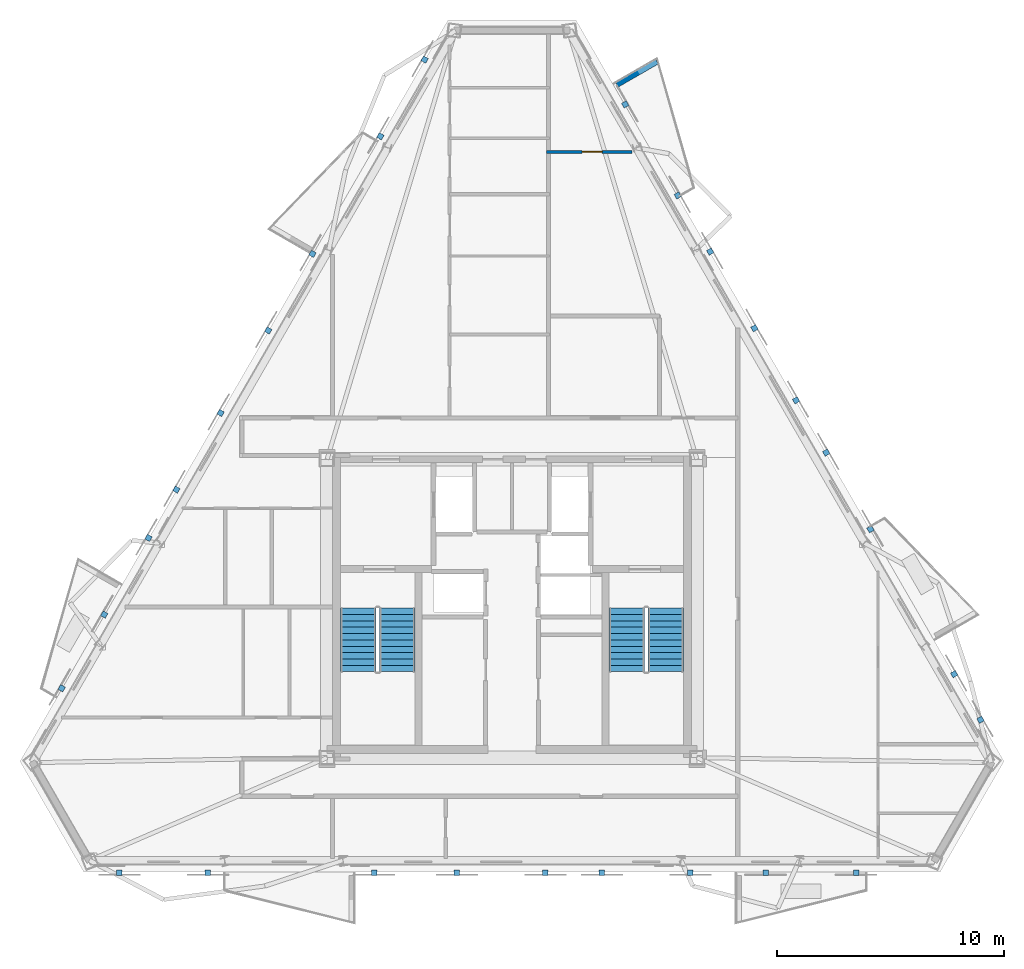
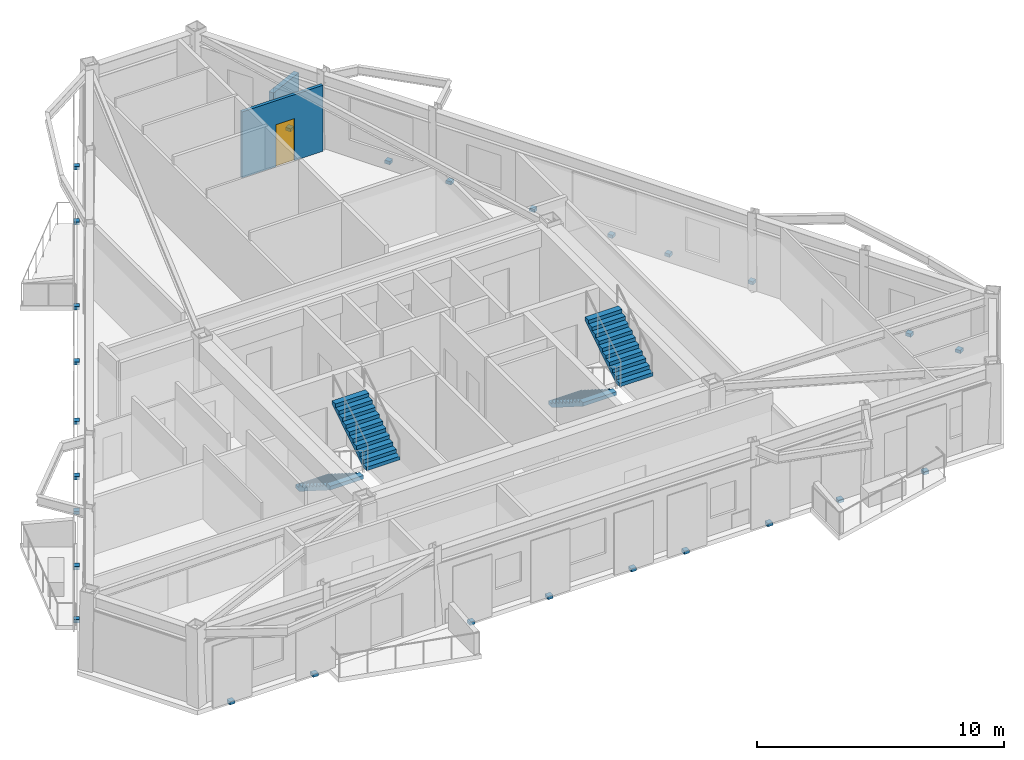
# One storey, part 6 of 9: 27 discrete accessories, 4 stair flights, 2 walls, 1 door, 1 opening, 2 elements without a shape of their own.
"""IFC4 building model written with IfcOpenShell, lengths in metres."""

from ifc_helpers import new_model, si_unit, direction, frame, frame_2d, origin, origin_2d, place, context, subcontext, project, spatial, polyline, rectangle, outline, extrude, material, layer, layer_set, type_object, element, fill, aggregate, save


model = new_model("IFC4")

# Units and contexts
model_context = context("Model", 3, precision=1e-05, world=origin(), true_north=direction((0.0, 1.0)))
body_context = subcontext(model_context, "Body", "Model", "MODEL_VIEW")
ifc_project = project(units=[si_unit("LENGTHUNIT", "METRE"), si_unit("AREAUNIT", "SQUARE_METRE"), si_unit("VOLUMEUNIT", "CUBIC_METRE"), si_unit("PLANEANGLEUNIT", "RADIAN"), si_unit("MASSUNIT", "GRAM", prefix="KILO")], contexts=[model_context])

# Site, building, storey
site_placement = place(None, origin())
site = spatial("IfcSite", under=ifc_project, at=site_placement, CompositionType="ELEMENT")
building_placement = place(site_placement, origin())
building = spatial("IfcBuilding", under=site, at=building_placement, Name="Oramaril Tower", CompositionType="ELEMENT")
storey_placement = place(building_placement, frame((0.0, 0.0, 261.60009765625)))
storey = spatial("IfcBuildingStorey", under=building, at=storey_placement, Name="L69", CompositionType="ELEMENT", Elevation=261.60009765625)

# Wall
ifc_material_1 = material(Name="Concrete C40/50", Category="concrete")
ifc_layer_1 = layer(ifc_material_1, 0.22998046875)
ifc_layer_set_1 = layer_set([ifc_layer_1], Name="WT-PRP23")
wall_type_1 = type_object("IfcWallType", Name="WT-PRP23", PredefinedType="PARAPET", material=ifc_layer_set_1)
wall_1_placement = place(storey_placement, frame((42.127197265625, 40.652587890625, 0.0), z_axis=(0.0, 0.0, 1.0), x_axis=(0.866012356593, 0.500022597718, 0.0)))
element("IfcWall", 1, at=wall_1_placement, inside=storey, type_object=wall_type_1, Name="L69 Trapezoidal Balcony Frame Cheek L69-BAL-NE2-R", PredefinedType="PARAPET", context=body_context, shape_type="SweptSolid", body=[
    extrude(outline(polyline([(0.0, 0.0), (2.0419921875, 0.0), (2.0419921875, 1.099853515625), (0.0, 1.31982421875), (0.0, 0.0)])), frame((0.0, 0.114990234375, 0.0), z_axis=(0.0, -1.0, 0.0), x_axis=(1.0, 0.0, 0.0)), (0.0, 0.0, 1.0), 0.22998046875),
])

# Wall, opening, door
ifc_material_2 = material(Name="Acoustic Gypsum Board Partition")
ifc_layer_2 = layer(ifc_material_2, 0.139892578125)
ifc_layer_set_2 = layer_set([ifc_layer_2], Name="WT-PT14")
wall_type_2 = type_object("IfcWallType", Name="WT-PT14", PredefinedType="PARTITIONING", material=ifc_layer_set_2)
wall_2_placement = place(storey_placement, frame((39.01806640625, 37.699951171875, 0.0), z_axis=(0.0, 0.0, 1.0), x_axis=(1.0, 0.0, 0.0)))
wall_2 = element("IfcWall", 2, at=wall_2_placement, inside=storey, type_object=wall_type_2, Name="L69 Interior Partition PT-14", PredefinedType="PARTITIONING", context=body_context, shape_type="SweptSolid", body=[
    extrude(rectangle(XDim=3.7783203125, YDim=0.139892578125, at=frame_2d((1.88916015625, 0.0))), origin(), (0.0, 0.0, 1.0), 3.265869140625),
])
opening_placement = place(wall_2_placement, frame((1.577392578125, 0.0, 0.0)))
opening = element("IfcOpeningElement", 3, at=opening_placement, cuts=wall_2, Name="Opening D-L69-13", PredefinedType="OPENING", context=body_context, shape_type="SweptSolid", body=[
    extrude(rectangle(XDim=0.8798828125, YDim=2.080078125, at=frame_2d((0.43994140625, 1.0400390625))), frame((0.0, 0.06982421875, 0.0), z_axis=(0.0, -1.0, 0.0), x_axis=(1.0, 0.0, 0.0)), (0.0, 0.0, 1.0), 0.139892578125),
])
ifc_material_3 = material(Name="FSC Brazilian Freijo Hardwood", Category="wood")
door_type = type_object("IfcDoorType", Name="DT-BATH", OperationType="NOTDEFINED", PredefinedType="DOOR", material=ifc_material_3)
door_placement = place(opening_placement, origin())
door = element("IfcDoor", 4, at=door_placement, inside=storey, type_object=door_type, Name="L69 Flat L69-U6 Bathroom Door D-L69-13", OperationType="SINGLE_SWING_RIGHT", OverallHeight=2.080078125, OverallWidth=0.8798828125, PredefinedType="DOOR", context=body_context, shape_type="SweptSolid", body=[
    extrude(rectangle(XDim=0.8798828125, YDim=2.080078125, at=frame_2d((0.43994140625, 1.0400390625))), frame((0.0, 0.02490234375, 0.0), z_axis=(0.0, -1.0, 0.0), x_axis=(1.0, 0.0, 0.0)), (0.0, 0.0, 1.0), 0.050048828125),
])
fill(opening, door)

# Stair, stair flights
ifc_material_4 = material(Name="Concrete C50/60", Category="concrete")
stair_type = type_object("IfcStairType", Name="STT-DG-3900", PredefinedType="HALF_TURN_STAIR", material=ifc_material_4)
stair_1_placement = place(storey_placement, origin())
stair_1 = element("IfcStair", 5, at=stair_1_placement, inside=storey, type_object=stair_type, Name="L69 Protected PFP Exit Stair ST-1", PredefinedType="HALF_TURN_STAIR")
ifc_material_5 = material(Name="Concrete C50/60", Category="concrete")
stair_flight_type = type_object("IfcStairFlightType", Name="SFT-DG-3900", PredefinedType="STRAIGHT", material=ifc_material_5)
stair_flight_1_placement = place(storey_placement, frame((30.72998046875, 17.590087890625, 0.0), z_axis=(0.0, 0.0, 1.0), x_axis=(0.0, -1.0, 0.0)))
stair_flight_1 = element("IfcStairFlight", 6, at=stair_flight_1_placement, type_object=stair_flight_type, Name="ST-1 flight 1", NumberOfRisers=11, NumberOfTreads=10, PredefinedType="STRAIGHT", RiserHeight=0.177272727, TreadLength=0.28, context=body_context, shape_type="SweptSolid", body=[
    extrude(outline(polyline([(0.0, 0.0), (0.0, 0.17724609375), (0.280029296875, 0.17724609375), (0.280029296875, 0.3544921875), (0.56005859375, 0.3544921875), (0.56005859375, 0.53173828125), (0.840087890625, 0.53173828125), (0.840087890625, 0.708984375), (1.1201171875, 0.708984375), (1.1201171875, 0.886474609375), (1.39990234375, 0.886474609375), (1.39990234375, 1.063720703125), (1.679931640625, 1.063720703125), (1.679931640625, 1.240966796875), (1.9599609375, 1.240966796875), (1.9599609375, 1.418212890625), (2.239990234375, 1.418212890625), (2.239990234375, 1.595458984375), (2.52001953125, 1.595458984375), (2.52001953125, 1.772705078125), (2.800048828125, 1.772705078125), (2.800048828125, 1.949951171875), (2.800048828125, 1.59521484375), (0.2802734375, 0.0), (0.0, 0.0)])), frame((0.0, 0.780029296875, 0.0), z_axis=(0.0, -1.0, 0.0), x_axis=(1.0, 0.0, 0.0)), (0.0, 0.0, 1.0), 1.56005859375),
])
stair_flight_2_placement = place(storey_placement, frame((32.43994140625, 14.7900390625, 1.949951171875), z_axis=(0.0, 0.0, 1.0), x_axis=(0.0, 1.0, 0.0)))
stair_flight_2 = element("IfcStairFlight", 7, at=stair_flight_2_placement, type_object=stair_flight_type, Name="ST-1 flight 2", NumberOfRisers=11, NumberOfTreads=10, PredefinedType="STRAIGHT", RiserHeight=0.177272727, TreadLength=0.28, context=body_context, shape_type="SweptSolid", body=[
    extrude(outline(polyline([(0.0, 0.0), (0.0, 0.17724609375), (0.280029296875, 0.17724609375), (0.280029296875, 0.3544921875), (0.56005859375, 0.3544921875), (0.56005859375, 0.53173828125), (0.840087890625, 0.53173828125), (0.840087890625, 0.708984375), (1.1201171875, 0.708984375), (1.1201171875, 0.886474609375), (1.39990234375, 0.886474609375), (1.39990234375, 1.063720703125), (1.679931640625, 1.063720703125), (1.679931640625, 1.240966796875), (1.9599609375, 1.240966796875), (1.9599609375, 1.418212890625), (2.239990234375, 1.418212890625), (2.239990234375, 1.595458984375), (2.52001953125, 1.595458984375), (2.52001953125, 1.772705078125), (2.800048828125, 1.772705078125), (2.800048828125, 1.949951171875), (2.800048828125, 1.59521484375), (0.2802734375, 0.0), (0.0, 0.0)])), frame((0.0, 0.780029296875, 0.0), z_axis=(0.0, -1.0, 0.0), x_axis=(1.0, 0.0, 0.0)), (0.0, 0.0, 1.0), 1.56005859375),
])
aggregate(stair_1, [stair_flight_1, stair_flight_2])

stair_2_placement = place(storey_placement, origin())
stair_2 = element("IfcStair", 8, at=stair_2_placement, inside=storey, type_object=stair_type, Name="L69 Protected PFP Exit Stair ST-2", PredefinedType="HALF_TURN_STAIR")
stair_flight_3_placement = place(storey_placement, frame((42.56005859375, 17.590087890625, 0.0), z_axis=(0.0, 0.0, 1.0), x_axis=(0.0, -1.0, 0.0)))
stair_flight_3 = element("IfcStairFlight", 9, at=stair_flight_3_placement, type_object=stair_flight_type, Name="ST-2 flight 1", NumberOfRisers=11, NumberOfTreads=10, PredefinedType="STRAIGHT", RiserHeight=0.177272727, TreadLength=0.28, context=body_context, shape_type="SweptSolid", body=[
    extrude(outline(polyline([(0.0, 0.0), (0.0, 0.17724609375), (0.280029296875, 0.17724609375), (0.280029296875, 0.3544921875), (0.56005859375, 0.3544921875), (0.56005859375, 0.53173828125), (0.840087890625, 0.53173828125), (0.840087890625, 0.708984375), (1.1201171875, 0.708984375), (1.1201171875, 0.886474609375), (1.39990234375, 0.886474609375), (1.39990234375, 1.063720703125), (1.679931640625, 1.063720703125), (1.679931640625, 1.240966796875), (1.9599609375, 1.240966796875), (1.9599609375, 1.418212890625), (2.239990234375, 1.418212890625), (2.239990234375, 1.595458984375), (2.52001953125, 1.595458984375), (2.52001953125, 1.772705078125), (2.800048828125, 1.772705078125), (2.800048828125, 1.949951171875), (2.800048828125, 1.59521484375), (0.2802734375, 0.0), (0.0, 0.0)])), frame((0.0, 0.780029296875, 0.0), z_axis=(0.0, -1.0, 0.0), x_axis=(1.0, 0.0, 0.0)), (0.0, 0.0, 1.0), 1.56005859375),
])
stair_flight_4_placement = place(storey_placement, frame((44.27001953125, 14.7900390625, 1.949951171875), z_axis=(0.0, 0.0, 1.0), x_axis=(0.0, 1.0, 0.0)))
stair_flight_4 = element("IfcStairFlight", 10, at=stair_flight_4_placement, type_object=stair_flight_type, Name="ST-2 flight 2", NumberOfRisers=11, NumberOfTreads=10, PredefinedType="STRAIGHT", RiserHeight=0.177272727, TreadLength=0.28, context=body_context, shape_type="SweptSolid", body=[
    extrude(outline(polyline([(0.0, 0.0), (0.0, 0.17724609375), (0.280029296875, 0.17724609375), (0.280029296875, 0.3544921875), (0.56005859375, 0.3544921875), (0.56005859375, 0.53173828125), (0.840087890625, 0.53173828125), (0.840087890625, 0.708984375), (1.1201171875, 0.708984375), (1.1201171875, 0.886474609375), (1.39990234375, 0.886474609375), (1.39990234375, 1.063720703125), (1.679931640625, 1.063720703125), (1.679931640625, 1.240966796875), (1.9599609375, 1.240966796875), (1.9599609375, 1.418212890625), (2.239990234375, 1.418212890625), (2.239990234375, 1.595458984375), (2.52001953125, 1.595458984375), (2.52001953125, 1.772705078125), (2.800048828125, 1.772705078125), (2.800048828125, 1.949951171875), (2.800048828125, 1.59521484375), (0.2802734375, 0.0), (0.0, 0.0)])), frame((0.0, 0.780029296875, 0.0), z_axis=(0.0, -1.0, 0.0), x_axis=(1.0, 0.0, 0.0)), (0.0, 0.0, 1.0), 1.56005859375),
])
aggregate(stair_2, [stair_flight_3, stair_flight_4])

# Discrete accessories
for number, where, z_axis, x_axis, name in (
    (11, (35.07421875, 5.934326171875, -0.14013671875), (0.0, 0.0, 1.0), (1.0, 0.0, 0.0), "L69 Solar Screen Slab Bracket"),
    (12, (38.97412109375, 5.934326171875, -0.14013671875), (0.0, 0.0, 1.0), (1.0, 0.0, 0.0), "L69 Solar Screen Slab Bracket"),
    (13, (41.463134765625, 5.934326171875, -0.14013671875), (0.0, 0.0, 1.0), (1.0, 0.0, 0.0), "L69 Solar Screen Slab Bracket"),
    (14, (45.363037109375, 5.934326171875, -0.14013671875), (0.0, 0.0, 1.0), (1.0, 0.0, 0.0), "L69 Solar Screen Slab Bracket"),
    (15, (31.422607421875, 5.934326171875, -0.14013671875), (0.0, 0.0, 1.0), (1.0, 0.0, 0.0), "L69 Solar Screen Slab Bracket"),
    (16, (20.195556640625, 5.934326171875, -0.14013671875), (0.0, 0.0, 1.0), (1.0, 0.0, 0.0), "L69 Solar Screen Slab Bracket"),
    (17, (24.095458984375, 5.934326171875, -0.14013671875), (0.0, 0.0, 1.0), (1.0, 0.0, 0.0), "L69 Solar Screen Slab Bracket"),
    (18, (48.674072265625, 5.934326171875, -0.14013671875), (0.0, 0.0, 1.0), (1.0, 0.0, 0.0), "L69 Solar Screen Slab Bracket"),
    (19, (52.664794921875, 5.934326171875, -0.14013671875), (0.0, 0.0, 1.0), (1.0, 0.0, 0.0), "L69 Solar Screen Slab Bracket"),
    (20, (53.298095703125, 21.06787109375, -0.14013671875), (0.0, 0.0, 1.0), (-0.5, 0.866025403784, 0.0), "L69 Solar Screen Slab Bracket"),
    (21, (51.34814453125, 24.4453125, -0.14013671875), (0.0, 0.0, 1.0), (-0.5, 0.866025403784, 0.0), "L69 Solar Screen Slab Bracket"),
    (22, (50.018310546875, 26.748779296875, -0.14013671875), (0.0, 0.0, 1.0), (-0.5, 0.866025403784, 0.0), "L69 Solar Screen Slab Bracket"),
    (23, (58.1474609375, 12.668701171875, -0.14013671875), (0.0, 0.0, 1.0), (-0.5, 0.866025403784, 0.0), "L69 Solar Screen Slab Bracket"),
    (24, (56.98486328125, 14.682373046875, -0.14013671875), (0.0, 0.0, 1.0), (-0.5, 0.866025403784, 0.0), "L69 Solar Screen Slab Bracket"),
    (25, (48.184326171875, 29.92529296875, -0.14013671875), (0.0, 0.0, 1.0), (-0.5, 0.866025403784, 0.0), "L69 Solar Screen Slab Bracket"),
    (26, (46.234375, 33.302978515625, -0.14013671875), (0.0, 0.0, 1.0), (-0.5, 0.866025403784, 0.0), "L69 Solar Screen Slab Bracket"),
    (27, (44.805419921875, 35.77783203125, -0.14013671875), (0.0, 0.0, 1.0), (-0.5, 0.866025403784, 0.0), "L69 Solar Screen Slab Bracket"),
    (28, (42.488525390625, 39.79052734375, -0.14013671875), (0.0, 0.0, 1.0), (-0.5, 0.866025403784, 0.0), "L69 Solar Screen Slab Bracket"),
    (29, (17.6552734375, 14.05908203125, -0.14013671875), (0.0, 0.0, 1.0), (-0.5, -0.866025403784, 0.0), "L69 Solar Screen Slab Bracket"),
    (30, (28.708740234375, 33.2041015625, -0.14013671875), (0.0, 0.0, 1.0), (-0.5, -0.866025403784, 0.0), "L69 Solar Screen Slab Bracket"),
    (31, (26.7587890625, 29.82666015625, -0.14013671875), (0.0, 0.0, 1.0), (-0.5, -0.866025403784, 0.0), "L69 Solar Screen Slab Bracket"),
    (32, (24.659912109375, 26.19140625, -0.14013671875), (0.0, 0.0, 1.0), (-0.5, -0.866025403784, 0.0), "L69 Solar Screen Slab Bracket"),
    (33, (22.7099609375, 22.81396484375, -0.14013671875), (0.0, 0.0, 1.0), (-0.5, -0.866025403784, 0.0), "L69 Solar Screen Slab Bracket"),
    (34, (21.48046875, 20.6845703125, -0.14013671875), (0.0, 0.0, 1.0), (-0.5, -0.866025403784, 0.0), "L69 Solar Screen Slab Bracket"),
    (35, (19.530517578125, 17.306884765625, -0.14013671875), (0.0, 0.0, 1.0), (-0.5, -0.866025403784, 0.0), "L69 Solar Screen Slab Bracket"),
    (36, (33.64990234375, 41.762451171875, -0.14013671875), (0.0, 0.0, 1.0), (-0.5, -0.866025403784, 0.0), "L69 Solar Screen Slab Bracket"),
    (37, (31.69970703125, 38.385009765625, -0.14013671875), (0.0, 0.0, 1.0), (-0.5, -0.866025403784, 0.0), "L69 Solar Screen Slab Bracket"),
):
    element("IfcDiscreteAccessory", number, at=place(storey_placement, frame(where, z_axis=z_axis, x_axis=x_axis)), inside=storey, Name=name, PredefinedType="BRACKET", context=body_context, shape_type="SweptSolid", body=[
        extrude(rectangle(XDim=0.239990234375, YDim=0.239990234375, at=origin_2d()), origin(), (0.0, 0.0, 1.0), 0.159912109375),
    ])

save(model, "model.ifc")
